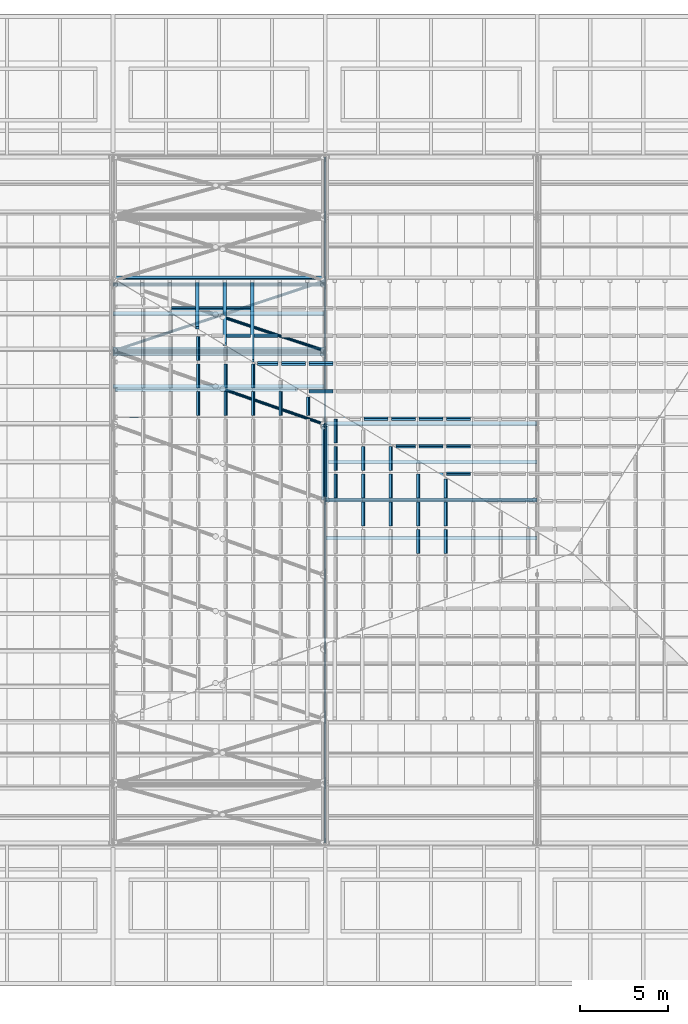
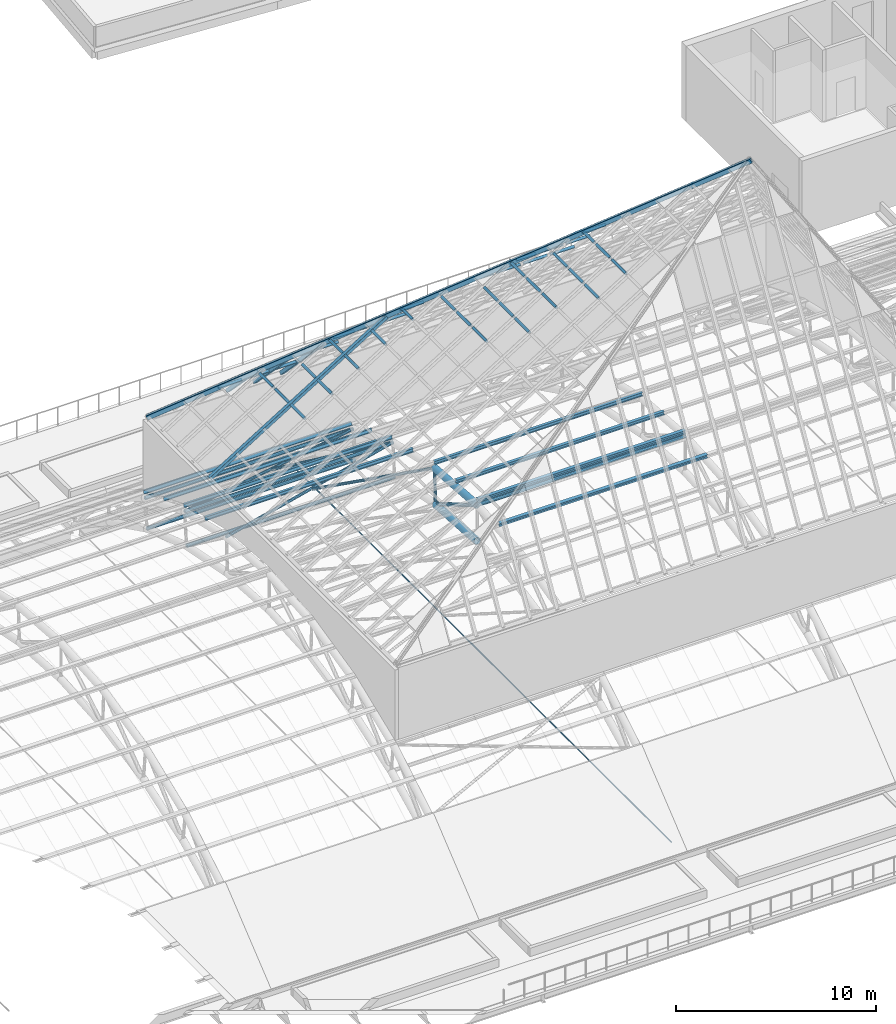
# One storey, part 22 of 110: 68 members.
"""IFC4 building model written with IfcOpenShell, lengths in metres."""

from ifc_helpers import new_model, si_unit, direction, frame, origin, origin_2d, place, context, subcontext, project, spatial, hollow_rectangle, circle, hollow_circle, i_section, extrude, material, material_profile, profile_set, type_object, element, save


model = new_model("IFC4")

# Units and contexts
model_context = context("Model", 3, precision=1e-05, world=origin(), true_north=direction((0.0, 1.0)))
body_context = subcontext(model_context, "Body", "Model", "MODEL_VIEW")
ifc_project = project(units=[si_unit("LENGTHUNIT", "METRE"), si_unit("AREAUNIT", "SQUARE_METRE"), si_unit("VOLUMEUNIT", "CUBIC_METRE"), si_unit("PLANEANGLEUNIT", "RADIAN"), si_unit("MASSUNIT", "GRAM", prefix="KILO")], contexts=[model_context])

# Site, building, storey
site_placement = place(None, origin())
site = spatial("IfcSite", under=ifc_project, at=site_placement, CompositionType="ELEMENT")
building_placement = place(site_placement, origin())
building = spatial("IfcBuilding", under=site, at=building_placement, Name="Windward Yard Aquatics Centre", CompositionType="ELEMENT")
storey_placement = place(building_placement, frame((0.0, 0.0, 22.60009765625)))
storey = spatial("IfcBuildingStorey", under=building, at=storey_placement, Name="L05", CompositionType="ELEMENT", Elevation=22.60009765625)

# Members
ifc_material_1 = material(Name="Steel ASTM A500 Gr C", Category="steel")
ifc_material_profile_1 = material_profile(ifc_material_1, hollow_circle(Radius=0.084228515625, WallThickness=0.010986328125, at=origin_2d()), Name="HSS168.3X11")
ifc_profile_set_1 = profile_set([ifc_material_profile_1], Name="Steel ASTM A500 Gr C")
member_type_1 = type_object("IfcMemberType", Name="H arch post HSS168.3X11", PredefinedType="POST", material=ifc_profile_set_1)
member_1_placement = place(storey_placement, frame((108.0, 65.16064453125, 6.323486328125), z_axis=(0.0, 0.050215263417, 0.998738417865), x_axis=(-1.0, 0.0, 0.0)))
element("IfcMember", 1, at=member_1_placement, inside=storey, type_object=member_type_1, Name="H.AT.5.WP07", PredefinedType="POST", context=body_context, shape_type="SweptSolid", body=[
    extrude(hollow_circle(Radius=0.084228515625, WallThickness=0.010986328125, at=origin_2d()), origin(), (0.0, 0.0, 1.0), 2.14892578125),
])
ifc_material_profile_2 = material_profile(ifc_material_1, hollow_circle(Radius=0.203125, WallThickness=0.015869140625, at=origin_2d()), Name="HSS406.4X15.9")
ifc_profile_set_2 = profile_set([ifc_material_profile_2], Name="Steel ASTM A500 Gr C")
member_type_2 = type_object("IfcMemberType", Name="H arch top chord HSS406.4X15.9", PredefinedType="CHORD", material=ifc_profile_set_2)
member_2_placement = place(storey_placement, frame((108.0, 61.0, 8.796630859375), z_axis=(0.0, 0.997080259355, -0.076360699341), x_axis=(-1.0, 0.0, 0.0)))
element("IfcMember", 2, at=member_2_placement, inside=storey, type_object=member_type_2, Name="H.AT.5.TC06", PredefinedType="CHORD", context=body_context, shape_type="SweptSolid", body=[
    extrude(hollow_circle(Radius=0.203125, WallThickness=0.015869140625, at=origin_2d()), origin(), (0.0, 0.0, 1.0), 4.281005859375),
])
member_3_placement = place(storey_placement, frame((108.0, 61.0, 6.5966796875), z_axis=(0.0, 0.997851241995, -0.065520217098), x_axis=(-1.0, 0.0, 0.0)))
element("IfcMember", 3, at=member_3_placement, inside=storey, type_object=member_type_2, Name="H.AT.5.BC06", PredefinedType="CHORD", context=body_context, shape_type="SweptSolid", body=[
    extrude(hollow_circle(Radius=0.203125, WallThickness=0.015869140625, at=origin_2d()), origin(), (0.0, 0.0, 1.0), 4.169677734375),
])
ifc_material_profile_3 = material_profile(ifc_material_1, hollow_circle(Radius=0.109619140625, WallThickness=0.00830078125, at=origin_2d()), Name="HSS219.1X8.2")
ifc_profile_set_3 = profile_set([ifc_material_profile_3], Name="Steel ASTM A500 Gr C")
member_type_3 = type_object("IfcMemberType", Name="H arch web diagonal HSS219.1X8.2", PredefinedType="BRACE", material=ifc_profile_set_3)
member_4_placement = place(storey_placement, frame((108.0, 61.0, 8.796630859375), z_axis=(0.0, 0.859604150376, -0.51096057055), x_axis=(-1.0, 0.0, 0.0)))
element("IfcMember", 4, at=member_4_placement, inside=storey, type_object=member_type_3, Name="H.AT.5.WD06", PredefinedType="BRACE", context=body_context, shape_type="SweptSolid", body=[
    extrude(hollow_circle(Radius=0.109619140625, WallThickness=0.00830078125, at=origin_2d()), origin(), (0.0, 0.0, 1.0), 4.840087890625),
])
ifc_material_profile_4 = material_profile(ifc_material_1, hollow_rectangle(XDim=0.25390625, YDim=0.25390625, WallThickness=0.015869140625, InnerFilletRadius=0.008056640625, OuterFilletRadius=0.02392578125, at=origin_2d()), Name="HSS254X254X15.9")
ifc_profile_set_4 = profile_set([ifc_material_profile_4], Name="Steel ASTM A500 Gr C")
member_type_4 = type_object("IfcMemberType", Name="H lantern hip HSS254X254X15.9", PredefinedType="BRACE", material=ifc_profile_set_4)
member_5_placement = place(storey_placement, frame((96.14697265625, 73.42529296875, 10.75634765625), z_axis=(0.758251042805, -0.453473949539, 0.468419398802), x_axis=(0.581627532553, 0.795115025599, -0.171760034473)))
element("IfcMember", 5, at=member_5_placement, inside=storey, type_object=member_type_4, Name="H.LN.H.04", PredefinedType="BRACE", context=body_context, shape_type="SweptSolid", body=[
    extrude(hollow_rectangle(XDim=0.25390625, YDim=0.25390625, WallThickness=0.015869140625, InnerFilletRadius=0.008056640625, OuterFilletRadius=0.02392578125, at=origin_2d()), origin(), (0.0, 0.0, 1.0), 34.157470703125),
])
ifc_material_profile_5 = material_profile(ifc_material_1, hollow_rectangle(XDim=0.15234375, YDim=0.15234375, WallThickness=0.009521484375, InnerFilletRadius=0.004638671875, OuterFilletRadius=0.01416015625, at=origin_2d()), Name="HSS152X152X9.5")
ifc_profile_set_5 = profile_set([ifc_material_profile_5], Name="Steel ASTM A500 Gr C")
member_type_5 = type_object("IfcMemberType", Name="H lantern purlin HSS152X152X9.5", PredefinedType="PURLIN", material=ifc_profile_set_5)
member_6_placement = place(storey_placement, frame((99.314697265625, 71.84765625, 12.4287109375), z_axis=(1.0, 0.0, 0.0), x_axis=(0.0, 0.695550485066, -0.718477224917)))
element("IfcMember", 6, at=member_6_placement, inside=storey, type_object=member_type_5, Name="H.LN.U.03.01.02", PredefinedType="PURLIN", context=body_context, shape_type="SweptSolid", body=[
    extrude(hollow_rectangle(XDim=0.15234375, YDim=0.15234375, WallThickness=0.009521484375, InnerFilletRadius=0.004638671875, OuterFilletRadius=0.01416015625, at=origin_2d()), origin(), (0.0, 0.0, 1.0), 1.353271484375),
])
member_7_placement = place(storey_placement, frame((100.87109375, 71.84765625, 12.4287109375), z_axis=(1.0, 0.0, 0.0), x_axis=(0.0, 0.695550485066, -0.718477224917)))
element("IfcMember", 7, at=member_7_placement, inside=storey, type_object=member_type_5, Name="H.LN.U.03.01.03", PredefinedType="PURLIN", context=body_context, shape_type="SweptSolid", body=[
    extrude(hollow_rectangle(XDim=0.15234375, YDim=0.15234375, WallThickness=0.009521484375, InnerFilletRadius=0.004638671875, OuterFilletRadius=0.01416015625, at=origin_2d()), origin(), (0.0, 0.0, 1.0), 1.353515625),
])
for number, where, z_axis, x_axis, name in (
    (8, (102.427734375, 71.84765625, 12.4287109375), (1.0, 0.0, 0.0), (0.0, 0.695550485066, -0.718477224917), "H.LN.U.03.01.04"),
    (9, (102.427734375, 70.28662109375, 14.04150390625), (1.0, 0.0, 0.0), (0.0, 0.695550485066, -0.718477224917), "H.LN.U.03.02.02"),
    (10, (103.984130859375, 70.28662109375, 14.04150390625), (1.0, 0.0, 0.0), (0.0, 0.695550485066, -0.718477224917), "H.LN.U.03.02.03"),
):
    element("IfcMember", number, at=place(storey_placement, frame(where, z_axis=z_axis, x_axis=x_axis)), inside=storey, type_object=member_type_5, Name=name, PredefinedType="PURLIN", context=body_context, shape_type="SweptSolid", body=[
        extrude(hollow_rectangle(XDim=0.15234375, YDim=0.15234375, WallThickness=0.009521484375, InnerFilletRadius=0.004638671875, OuterFilletRadius=0.01416015625, at=origin_2d()), origin(), (0.0, 0.0, 1.0), 1.353271484375),
    ])
member_8_placement = place(storey_placement, frame((104.168212890625, 68.725341796875, 15.654052734375), z_axis=(1.0, 0.0, 0.0), x_axis=(0.0, 0.695550485066, -0.718477224917)))
element("IfcMember", 11, at=member_8_placement, inside=storey, type_object=member_type_5, Name="H.LN.U.03.03.01", PredefinedType="PURLIN", context=body_context, shape_type="SweptSolid", body=[
    extrude(hollow_rectangle(XDim=0.15234375, YDim=0.15234375, WallThickness=0.009521484375, InnerFilletRadius=0.004638671875, OuterFilletRadius=0.01416015625, at=origin_2d()), origin(), (0.0, 0.0, 1.0), 1.169189453125),
])
for number, where, z_axis, x_axis, name in (
    (12, (105.540771484375, 68.725341796875, 15.654052734375), (1.0, 0.0, 0.0), (0.0, 0.695550485066, -0.718477224917), "H.LN.U.03.03.02"),
    (13, (107.097412109375, 68.725341796875, 15.654052734375), (1.0, 0.0, 0.0), (0.0, 0.695550485066, -0.718477224917), "H.LN.U.03.03.03"),
    (14, (107.097412109375, 67.1640625, 17.266845703125), (1.0, 0.0, 0.0), (0.0, 0.695550485066, -0.718477224917), "H.LN.U.03.04.02"),
):
    element("IfcMember", number, at=place(storey_placement, frame(where, z_axis=z_axis, x_axis=x_axis)), inside=storey, type_object=member_type_5, Name=name, PredefinedType="PURLIN", context=body_context, shape_type="SweptSolid", body=[
        extrude(hollow_rectangle(XDim=0.15234375, YDim=0.15234375, WallThickness=0.009521484375, InnerFilletRadius=0.004638671875, OuterFilletRadius=0.01416015625, at=origin_2d()), origin(), (0.0, 0.0, 1.0), 1.353271484375),
    ])
member_9_placement = place(storey_placement, frame((110.210205078125, 65.602783203125, 18.87939453125), z_axis=(1.0, 0.0, 0.0), x_axis=(0.0, 0.695550485066, -0.718477224917)))
element("IfcMember", 15, at=member_9_placement, inside=storey, type_object=member_type_5, Name="H.LN.U.03.05.02", PredefinedType="PURLIN", context=body_context, shape_type="SweptSolid", body=[
    extrude(hollow_rectangle(XDim=0.15234375, YDim=0.15234375, WallThickness=0.009521484375, InnerFilletRadius=0.004638671875, OuterFilletRadius=0.01416015625, at=origin_2d()), origin(), (0.0, 0.0, 1.0), 1.353515625),
])
member_10_placement = place(storey_placement, frame((111.766845703125, 65.602783203125, 18.87939453125), z_axis=(1.0, 0.0, 0.0), x_axis=(0.0, 0.695550485066, -0.718477224917)))
element("IfcMember", 16, at=member_10_placement, inside=storey, type_object=member_type_5, Name="H.LN.U.03.05.03", PredefinedType="PURLIN", context=body_context, shape_type="SweptSolid", body=[
    extrude(hollow_rectangle(XDim=0.15234375, YDim=0.15234375, WallThickness=0.009521484375, InnerFilletRadius=0.004638671875, OuterFilletRadius=0.01416015625, at=origin_2d()), origin(), (0.0, 0.0, 1.0), 1.353271484375),
])
member_11_placement = place(storey_placement, frame((113.3232421875, 65.602783203125, 18.87939453125), z_axis=(1.0, 0.0, 0.0), x_axis=(0.0, 0.695550485066, -0.718477224917)))
element("IfcMember", 17, at=member_11_placement, inside=storey, type_object=member_type_5, Name="H.LN.U.03.05.04", PredefinedType="PURLIN", context=body_context, shape_type="SweptSolid", body=[
    extrude(hollow_rectangle(XDim=0.15234375, YDim=0.15234375, WallThickness=0.009521484375, InnerFilletRadius=0.004638671875, OuterFilletRadius=0.01416015625, at=origin_2d()), origin(), (0.0, 0.0, 1.0), 1.353515625),
])
member_12_placement = place(storey_placement, frame((114.8798828125, 65.602783203125, 18.87939453125), z_axis=(1.0, 0.0, 0.0), x_axis=(0.0, 0.695550485066, -0.718477224917)))
element("IfcMember", 18, at=member_12_placement, inside=storey, type_object=member_type_5, Name="H.LN.U.03.05.05", PredefinedType="PURLIN", context=body_context, shape_type="SweptSolid", body=[
    extrude(hollow_rectangle(XDim=0.15234375, YDim=0.15234375, WallThickness=0.009521484375, InnerFilletRadius=0.004638671875, OuterFilletRadius=0.01416015625, at=origin_2d()), origin(), (0.0, 0.0, 1.0), 1.353271484375),
])
member_13_placement = place(storey_placement, frame((111.999755859375, 64.041748046875, 20.491943359375), z_axis=(1.0, 0.0, 0.0), x_axis=(0.0, 0.695550485066, -0.718477224917)))
element("IfcMember", 19, at=member_13_placement, inside=storey, type_object=member_type_5, Name="H.LN.U.03.06.01", PredefinedType="PURLIN", context=body_context, shape_type="SweptSolid", body=[
    extrude(hollow_rectangle(XDim=0.15234375, YDim=0.15234375, WallThickness=0.009521484375, InnerFilletRadius=0.004638671875, OuterFilletRadius=0.01416015625, at=origin_2d()), origin(), (0.0, 0.0, 1.0), 1.120361328125),
])
member_14_placement = place(storey_placement, frame((113.3232421875, 64.041748046875, 20.491943359375), z_axis=(1.0, 0.0, 0.0), x_axis=(0.0, 0.695550485066, -0.718477224917)))
element("IfcMember", 20, at=member_14_placement, inside=storey, type_object=member_type_5, Name="H.LN.U.03.06.02", PredefinedType="PURLIN", context=body_context, shape_type="SweptSolid", body=[
    extrude(hollow_rectangle(XDim=0.15234375, YDim=0.15234375, WallThickness=0.009521484375, InnerFilletRadius=0.004638671875, OuterFilletRadius=0.01416015625, at=origin_2d()), origin(), (0.0, 0.0, 1.0), 1.353515625),
])
for number, where, z_axis, x_axis, name in (
    (21, (114.8798828125, 64.041748046875, 20.491943359375), (1.0, 0.0, 0.0), (0.0, 0.695550485066, -0.718477224917), "H.LN.U.03.06.03"),
    (22, (114.8798828125, 62.480712890625, 22.104736328125), (1.0, 0.0, 0.0), (0.0, 0.695550485066, -0.718477224917), "H.LN.U.03.07.02"),
):
    element("IfcMember", number, at=place(storey_placement, frame(where, z_axis=z_axis, x_axis=x_axis)), inside=storey, type_object=member_type_5, Name=name, PredefinedType="PURLIN", context=body_context, shape_type="SweptSolid", body=[
        extrude(hollow_rectangle(XDim=0.15234375, YDim=0.15234375, WallThickness=0.009521484375, InnerFilletRadius=0.004638671875, OuterFilletRadius=0.01416015625, at=origin_2d()), origin(), (0.0, 0.0, 1.0), 1.353271484375),
    ])
member_15_placement = place(storey_placement, frame((100.82861328125, 65.78515625, 13.68359375), z_axis=(0.0, 1.0, 0.0), x_axis=(-0.850755160219, 0.0, -0.525562229771)))
element("IfcMember", 23, at=member_15_placement, inside=storey, type_object=member_type_5, Name="H.LN.U.04.03.11", PredefinedType="PURLIN", context=body_context, shape_type="SweptSolid", body=[
    extrude(hollow_rectangle(XDim=0.15234375, YDim=0.15234375, WallThickness=0.009521484375, InnerFilletRadius=0.004638671875, OuterFilletRadius=0.01416015625, at=origin_2d()), origin(), (0.0, 0.0, 1.0), 1.35791015625),
])
member_16_placement = place(storey_placement, frame((100.82861328125, 67.34619140625, 13.68359375), z_axis=(0.0, 1.0, 0.0), x_axis=(-0.850755160219, 0.0, -0.525562229771)))
element("IfcMember", 24, at=member_16_placement, inside=storey, type_object=member_type_5, Name="H.LN.U.04.03.12", PredefinedType="PURLIN", context=body_context, shape_type="SweptSolid", body=[
    extrude(hollow_rectangle(XDim=0.15234375, YDim=0.15234375, WallThickness=0.009521484375, InnerFilletRadius=0.004638671875, OuterFilletRadius=0.01416015625, at=origin_2d()), origin(), (0.0, 0.0, 1.0), 1.358154296875),
])
for number, where, z_axis, x_axis, name in (
    (25, (100.82861328125, 68.907470703125, 13.68359375), (0.0, 1.0, 0.0), (-0.850755160219, 0.0, -0.525562229771), "H.LN.U.04.03.13"),
    (26, (102.385009765625, 65.78515625, 14.64501953125), (0.0, 1.0, 0.0), (-0.850755160219, 0.0, -0.525562229771), "H.LN.U.04.04.11"),
):
    element("IfcMember", number, at=place(storey_placement, frame(where, z_axis=z_axis, x_axis=x_axis)), inside=storey, type_object=member_type_5, Name=name, PredefinedType="PURLIN", context=body_context, shape_type="SweptSolid", body=[
        extrude(hollow_rectangle(XDim=0.15234375, YDim=0.15234375, WallThickness=0.009521484375, InnerFilletRadius=0.004638671875, OuterFilletRadius=0.01416015625, at=origin_2d()), origin(), (0.0, 0.0, 1.0), 1.35791015625),
    ])
member_17_placement = place(storey_placement, frame((102.385009765625, 67.34619140625, 14.64501953125), z_axis=(0.0, 1.0, 0.0), x_axis=(-0.850755160219, 0.0, -0.525562229771)))
element("IfcMember", 27, at=member_17_placement, inside=storey, type_object=member_type_5, Name="H.LN.U.04.04.12", PredefinedType="PURLIN", context=body_context, shape_type="SweptSolid", body=[
    extrude(hollow_rectangle(XDim=0.15234375, YDim=0.15234375, WallThickness=0.009521484375, InnerFilletRadius=0.004638671875, OuterFilletRadius=0.01416015625, at=origin_2d()), origin(), (0.0, 0.0, 1.0), 1.358154296875),
])
member_18_placement = place(storey_placement, frame((103.941650390625, 65.78515625, 15.606689453125), z_axis=(0.0, 1.0, 0.0), x_axis=(-0.850755160219, 0.0, -0.525562229771)))
element("IfcMember", 28, at=member_18_placement, inside=storey, type_object=member_type_5, Name="H.LN.U.04.05.11", PredefinedType="PURLIN", context=body_context, shape_type="SweptSolid", body=[
    extrude(hollow_rectangle(XDim=0.15234375, YDim=0.15234375, WallThickness=0.009521484375, InnerFilletRadius=0.004638671875, OuterFilletRadius=0.01416015625, at=origin_2d()), origin(), (0.0, 0.0, 1.0), 1.35791015625),
])
member_19_placement = place(storey_placement, frame((103.941650390625, 67.34619140625, 15.606689453125), z_axis=(0.0, 1.0, 0.0), x_axis=(-0.850755160219, 0.0, -0.525562229771)))
element("IfcMember", 29, at=member_19_placement, inside=storey, type_object=member_type_5, Name="H.LN.U.04.05.12", PredefinedType="PURLIN", context=body_context, shape_type="SweptSolid", body=[
    extrude(hollow_rectangle(XDim=0.15234375, YDim=0.15234375, WallThickness=0.009521484375, InnerFilletRadius=0.004638671875, OuterFilletRadius=0.01416015625, at=origin_2d()), origin(), (0.0, 0.0, 1.0), 1.34716796875),
])
member_20_placement = place(storey_placement, frame((105.498046875, 65.78515625, 16.568115234375), z_axis=(0.0, 1.0, 0.0), x_axis=(-0.850755160219, 0.0, -0.525562229771)))
element("IfcMember", 30, at=member_20_placement, inside=storey, type_object=member_type_5, Name="H.LN.U.04.06.10", PredefinedType="PURLIN", context=body_context, shape_type="SweptSolid", body=[
    extrude(hollow_rectangle(XDim=0.15234375, YDim=0.15234375, WallThickness=0.009521484375, InnerFilletRadius=0.004638671875, OuterFilletRadius=0.01416015625, at=origin_2d()), origin(), (0.0, 0.0, 1.0), 1.35791015625),
])
member_21_placement = place(storey_placement, frame((107.0546875, 65.78515625, 17.52978515625), z_axis=(0.0, 1.0, 0.0), x_axis=(-0.850755160219, 0.0, -0.525562229771)))
element("IfcMember", 31, at=member_21_placement, inside=storey, type_object=member_type_5, Name="H.LN.U.04.07.10", PredefinedType="PURLIN", context=body_context, shape_type="SweptSolid", body=[
    extrude(hollow_rectangle(XDim=0.15234375, YDim=0.15234375, WallThickness=0.009521484375, InnerFilletRadius=0.004638671875, OuterFilletRadius=0.01416015625, at=origin_2d()), origin(), (0.0, 0.0, 1.0), 1.04638671875),
])
member_22_placement = place(storey_placement, frame((108.611083984375, 61.1015625, 18.4912109375), z_axis=(0.0, 1.0, 0.0), x_axis=(-0.850755160219, 0.0, -0.525562229771)))
element("IfcMember", 32, at=member_22_placement, inside=storey, type_object=member_type_5, Name="H.LN.U.04.08.06", PredefinedType="PURLIN", context=body_context, shape_type="SweptSolid", body=[
    extrude(hollow_rectangle(XDim=0.15234375, YDim=0.15234375, WallThickness=0.009521484375, InnerFilletRadius=0.004638671875, OuterFilletRadius=0.01416015625, at=origin_2d()), origin(), (0.0, 0.0, 1.0), 1.358154296875),
])
member_23_placement = place(storey_placement, frame((108.611083984375, 62.662841796875, 18.4912109375), z_axis=(0.0, 1.0, 0.0), x_axis=(-0.850755160219, 0.0, -0.525562229771)))
element("IfcMember", 33, at=member_23_placement, inside=storey, type_object=member_type_5, Name="H.LN.U.04.08.07", PredefinedType="PURLIN", context=body_context, shape_type="SweptSolid", body=[
    extrude(hollow_rectangle(XDim=0.15234375, YDim=0.15234375, WallThickness=0.009521484375, InnerFilletRadius=0.004638671875, OuterFilletRadius=0.01416015625, at=origin_2d()), origin(), (0.0, 0.0, 1.0), 1.35791015625),
])
member_24_placement = place(storey_placement, frame((108.611083984375, 64.22412109375, 18.4912109375), z_axis=(0.0, 1.0, 0.0), x_axis=(-0.850755160219, 0.0, -0.525562229771)))
element("IfcMember", 34, at=member_24_placement, inside=storey, type_object=member_type_5, Name="H.LN.U.04.08.08", PredefinedType="PURLIN", context=body_context, shape_type="SweptSolid", body=[
    extrude(hollow_rectangle(XDim=0.15234375, YDim=0.15234375, WallThickness=0.009521484375, InnerFilletRadius=0.004638671875, OuterFilletRadius=0.01416015625, at=origin_2d()), origin(), (0.0, 0.0, 1.0), 1.357666015625),
])
for number, where, z_axis, x_axis, name in (
    (35, (110.167724609375, 59.540283203125, 19.452880859375), (0.0, 1.0, 0.0), (-0.850755160219, 0.0, -0.525562229771), "H.LN.U.04.09.05"),
    (36, (110.167724609375, 61.1015625, 19.452880859375), (0.0, 1.0, 0.0), (-0.850755160219, 0.0, -0.525562229771), "H.LN.U.04.09.06"),
):
    element("IfcMember", number, at=place(storey_placement, frame(where, z_axis=z_axis, x_axis=x_axis)), inside=storey, type_object=member_type_5, Name=name, PredefinedType="PURLIN", context=body_context, shape_type="SweptSolid", body=[
        extrude(hollow_rectangle(XDim=0.15234375, YDim=0.15234375, WallThickness=0.009521484375, InnerFilletRadius=0.004638671875, OuterFilletRadius=0.01416015625, at=origin_2d()), origin(), (0.0, 0.0, 1.0), 1.358154296875),
    ])
member_25_placement = place(storey_placement, frame((110.167724609375, 62.662841796875, 19.452880859375), z_axis=(0.0, 1.0, 0.0), x_axis=(-0.850755160219, 0.0, -0.525562229771)))
element("IfcMember", 37, at=member_25_placement, inside=storey, type_object=member_type_5, Name="H.LN.U.04.09.07", PredefinedType="PURLIN", context=body_context, shape_type="SweptSolid", body=[
    extrude(hollow_rectangle(XDim=0.15234375, YDim=0.15234375, WallThickness=0.009521484375, InnerFilletRadius=0.004638671875, OuterFilletRadius=0.01416015625, at=origin_2d()), origin(), (0.0, 0.0, 1.0), 1.35791015625),
])
for number, where, z_axis, x_axis, name in (
    (38, (111.72412109375, 59.540283203125, 20.414306640625), (0.0, 1.0, 0.0), (-0.850755160219, 0.0, -0.525562229771), "H.LN.U.04.10.05"),
    (39, (111.72412109375, 61.1015625, 20.414306640625), (0.0, 1.0, 0.0), (-0.850755160219, 0.0, -0.525562229771), "H.LN.U.04.10.06"),
):
    element("IfcMember", number, at=place(storey_placement, frame(where, z_axis=z_axis, x_axis=x_axis)), inside=storey, type_object=member_type_5, Name=name, PredefinedType="PURLIN", context=body_context, shape_type="SweptSolid", body=[
        extrude(hollow_rectangle(XDim=0.15234375, YDim=0.15234375, WallThickness=0.009521484375, InnerFilletRadius=0.004638671875, OuterFilletRadius=0.01416015625, at=origin_2d()), origin(), (0.0, 0.0, 1.0), 1.358154296875),
    ])
member_26_placement = place(storey_placement, frame((111.72412109375, 62.662841796875, 20.414306640625), z_axis=(0.0, 1.0, 0.0), x_axis=(-0.850755160219, 0.0, -0.525562229771)))
element("IfcMember", 40, at=member_26_placement, inside=storey, type_object=member_type_5, Name="H.LN.U.04.10.07", PredefinedType="PURLIN", context=body_context, shape_type="SweptSolid", body=[
    extrude(hollow_rectangle(XDim=0.15234375, YDim=0.15234375, WallThickness=0.009521484375, InnerFilletRadius=0.004638671875, OuterFilletRadius=0.01416015625, at=origin_2d()), origin(), (0.0, 0.0, 1.0), 1.376220703125),
])
member_27_placement = place(storey_placement, frame((113.28076171875, 57.979248046875, 21.3759765625), z_axis=(0.0, 1.0, 0.0), x_axis=(-0.850755160219, 0.0, -0.525562229771)))
element("IfcMember", 41, at=member_27_placement, inside=storey, type_object=member_type_5, Name="H.LN.U.04.11.03", PredefinedType="PURLIN", context=body_context, shape_type="SweptSolid", body=[
    extrude(hollow_rectangle(XDim=0.15234375, YDim=0.15234375, WallThickness=0.009521484375, InnerFilletRadius=0.004638671875, OuterFilletRadius=0.01416015625, at=origin_2d()), origin(), (0.0, 0.0, 1.0), 1.35791015625),
])
for number, where, z_axis, x_axis, name in (
    (42, (113.28076171875, 59.540283203125, 21.3759765625), (0.0, 1.0, 0.0), (-0.850755160219, 0.0, -0.525562229771), "H.LN.U.04.11.04"),
    (43, (113.28076171875, 61.1015625, 21.3759765625), (0.0, 1.0, 0.0), (-0.850755160219, 0.0, -0.525562229771), "H.LN.U.04.11.05"),
):
    element("IfcMember", number, at=place(storey_placement, frame(where, z_axis=z_axis, x_axis=x_axis)), inside=storey, type_object=member_type_5, Name=name, PredefinedType="PURLIN", context=body_context, shape_type="SweptSolid", body=[
        extrude(hollow_rectangle(XDim=0.15234375, YDim=0.15234375, WallThickness=0.009521484375, InnerFilletRadius=0.004638671875, OuterFilletRadius=0.01416015625, at=origin_2d()), origin(), (0.0, 0.0, 1.0), 1.358154296875),
    ])
member_28_placement = place(storey_placement, frame((114.837158203125, 57.979248046875, 22.33740234375), z_axis=(0.0, 1.0, 0.0), x_axis=(-0.850755160219, 0.0, -0.525562229771)))
element("IfcMember", 44, at=member_28_placement, inside=storey, type_object=member_type_5, Name="H.LN.U.04.12.03", PredefinedType="PURLIN", context=body_context, shape_type="SweptSolid", body=[
    extrude(hollow_rectangle(XDim=0.15234375, YDim=0.15234375, WallThickness=0.009521484375, InnerFilletRadius=0.004638671875, OuterFilletRadius=0.01416015625, at=origin_2d()), origin(), (0.0, 0.0, 1.0), 1.35791015625),
])
member_29_placement = place(storey_placement, frame((114.837158203125, 59.540283203125, 22.33740234375), z_axis=(0.0, 1.0, 0.0), x_axis=(-0.850755160219, 0.0, -0.525562229771)))
element("IfcMember", 45, at=member_29_placement, inside=storey, type_object=member_type_5, Name="H.LN.U.04.12.04", PredefinedType="PURLIN", context=body_context, shape_type="SweptSolid", body=[
    extrude(hollow_rectangle(XDim=0.15234375, YDim=0.15234375, WallThickness=0.009521484375, InnerFilletRadius=0.004638671875, OuterFilletRadius=0.01416015625, at=origin_2d()), origin(), (0.0, 0.0, 1.0), 1.358154296875),
])
member_30_placement = place(storey_placement, frame((114.837158203125, 61.1015625, 22.33740234375), z_axis=(0.0, 1.0, 0.0), x_axis=(-0.850755160219, 0.0, -0.525562229771)))
element("IfcMember", 46, at=member_30_placement, inside=storey, type_object=member_type_5, Name="H.LN.U.04.12.05", PredefinedType="PURLIN", context=body_context, shape_type="SweptSolid", body=[
    extrude(hollow_rectangle(XDim=0.15234375, YDim=0.15234375, WallThickness=0.009521484375, InnerFilletRadius=0.004638671875, OuterFilletRadius=0.01416015625, at=origin_2d()), origin(), (0.0, 0.0, 1.0), 1.07568359375),
])
ifc_material_profile_6 = material_profile(ifc_material_1, hollow_rectangle(XDim=0.203125, YDim=0.203125, WallThickness=0.009521484375, InnerFilletRadius=0.004638671875, OuterFilletRadius=0.01416015625, at=origin_2d()), Name="HSS203X203X9.5")
ifc_profile_set_6 = profile_set([ifc_material_profile_6], Name="Steel ASTM A500 Gr C")
member_type_6 = type_object("IfcMemberType", Name="H lantern rafter HSS203X203X9.5", PredefinedType="RAFTER", material=ifc_profile_set_6)
member_31_placement = place(storey_placement, frame((100.76953125, 73.390625, 10.798583984375), z_axis=(0.0, -0.695547330886, 0.718480278433), x_axis=(1.0, 0.0, 0.0)))
element("IfcMember", 47, at=member_31_placement, inside=storey, type_object=member_type_6, Name="H.LN.R.03.03", PredefinedType="RAFTER", context=body_context, shape_type="SweptSolid", body=[
    extrude(hollow_rectangle(XDim=0.203125, YDim=0.203125, WallThickness=0.009521484375, InnerFilletRadius=0.004638671875, OuterFilletRadius=0.01416015625, at=origin_2d()), origin(), (0.0, 0.0, 1.0), 3.811279296875),
])
member_32_placement = place(storey_placement, frame((102.326171875, 73.390625, 10.798583984375), z_axis=(0.0, -0.69556435959, 0.718463792872), x_axis=(1.0, 0.0, 0.0)))
element("IfcMember", 48, at=member_32_placement, inside=storey, type_object=member_type_6, Name="H.LN.R.03.04", PredefinedType="RAFTER", context=body_context, shape_type="SweptSolid", body=[
    extrude(hollow_rectangle(XDim=0.203125, YDim=0.203125, WallThickness=0.009521484375, InnerFilletRadius=0.004638671875, OuterFilletRadius=0.01416015625, at=origin_2d()), origin(), (0.0, 0.0, 1.0), 5.1494140625),
])
member_33_placement = place(storey_placement, frame((103.882568359375, 73.390625, 10.798583984375), z_axis=(0.0, -0.695555557456, 0.718472314353), x_axis=(1.0, 0.0, 0.0)))
element("IfcMember", 49, at=member_33_placement, inside=storey, type_object=member_type_6, Name="H.LN.R.03.05", PredefinedType="RAFTER", context=body_context, shape_type="SweptSolid", body=[
    extrude(hollow_rectangle(XDim=0.203125, YDim=0.203125, WallThickness=0.009521484375, InnerFilletRadius=0.004638671875, OuterFilletRadius=0.01416015625, at=origin_2d()), origin(), (0.0, 0.0, 1.0), 6.48779296875),
])
member_34_placement = place(storey_placement, frame((96.17236328125, 67.24462890625, 10.777099609375), z_axis=(0.850752762961, 0.0, 0.525566110318), x_axis=(0.0, 1.0, 0.0)))
element("IfcMember", 50, at=member_34_placement, inside=storey, type_object=member_type_6, Name="H.LN.R.04.12", PredefinedType="RAFTER", context=body_context, shape_type="SweptSolid", body=[
    extrude(hollow_rectangle(XDim=0.203125, YDim=0.203125, WallThickness=0.009521484375, InnerFilletRadius=0.004638671875, OuterFilletRadius=0.01416015625, at=origin_2d()), origin(), (0.0, 0.0, 1.0), 11.9951171875),
])
ifc_material_profile_7 = material_profile(ifc_material_1, hollow_circle(Radius=0.084228515625, WallThickness=0.007080078125, at=origin_2d()), Name="HSS168.3X7.1")
ifc_profile_set_7 = profile_set([ifc_material_profile_7], Name="Steel ASTM A500 Gr C")
member_type_7 = type_object("IfcMemberType", Name="H roof brace HSS168.3X7.1", PredefinedType="BRACE", material=ifc_profile_set_7)
member_35_placement = place(storey_placement, frame((96.0, 65.2685546875, 8.4697265625), z_axis=(0.941859984788, 0.327213564051, -0.076361328926), x_axis=(-0.32817175629, 0.944618070108, 0.0)))
element("IfcMember", 51, at=member_35_placement, inside=storey, type_object=member_type_7, Name="H.RB.4.T07A", PredefinedType="BRACE", context=body_context, shape_type="SweptSolid", body=[
    extrude(hollow_circle(Radius=0.084228515625, WallThickness=0.007080078125, at=origin_2d()), origin(), (0.0, 0.0, 1.0), 12.74072265625),
])
member_36_placement = place(storey_placement, frame((102.1064453125, 67.31591796875, 7.991943359375), z_axis=(0.941866761957, -0.327195305127, 0.07635597569), x_axis=(0.328153308973, 0.944624478727, 0.0)))
element("IfcMember", 52, at=member_36_placement, inside=storey, type_object=member_type_7, Name="H.RB.4.T07B2", PredefinedType="BRACE", context=body_context, shape_type="SweptSolid", body=[
    extrude(hollow_circle(Radius=0.084228515625, WallThickness=0.007080078125, at=origin_2d()), origin(), (0.0, 0.0, 1.0), 6.25732421875),
])
member_37_placement = place(storey_placement, frame((96.0, 69.4375, 7.496826171875), z_axis=(0.941859739241, 0.311768757272, -0.125301530658), x_axis=(-0.314245417859, 0.949341781107, 0.0)))
element("IfcMember", 53, at=member_37_placement, inside=storey, type_object=member_type_7, Name="H.RB.4.T08A", PredefinedType="BRACE", context=body_context, shape_type="SweptSolid", body=[
    extrude(hollow_circle(Radius=0.084228515625, WallThickness=0.007080078125, at=origin_2d()), origin(), (0.0, 0.0, 1.0), 12.74072265625),
])
member_38_placement = place(storey_placement, frame((102.1064453125, 71.388427734375, 6.712890625), z_axis=(0.941858333374, -0.311780859237, 0.125281984609), x_axis=(0.314256834084, 0.9493380021, 0.0)))
element("IfcMember", 54, at=member_38_placement, inside=storey, type_object=member_type_7, Name="H.RB.4.T08B2", PredefinedType="BRACE", context=body_context, shape_type="SweptSolid", body=[
    extrude(hollow_circle(Radius=0.084228515625, WallThickness=0.007080078125, at=origin_2d()), origin(), (0.0, 0.0, 1.0), 6.25732421875),
])
ifc_material_2 = material(Name="Steel ASTM A992 Gr 50", Category="steel")
ifc_material_profile_8 = material_profile(ifc_material_2, i_section(OverallWidth=0.202880859375, OverallDepth=0.202880859375, WebThickness=0.00732421875, FlangeThickness=0.010986328125, at=origin_2d()), Name="W200X46.1")
ifc_profile_set_8 = profile_set([ifc_material_profile_8], Name="Steel ASTM A992 Gr 50")
member_type_8 = type_object("IfcMemberType", Name="H roof purlin W200X46.1", PredefinedType="PURLIN", material=ifc_profile_set_8)
for number, where, z_axis, x_axis, name in (
    (55, (96.0, 67.422119140625, 8.280029296875), (1.0, 0.0, 0.0), (0.0, 0.973829299376, -0.227280653986), "H.PU.4.14"),
    (56, (96.0, 69.529052734375, 7.787353515625), (1.0, 0.0, 0.0), (0.0, 0.953632764452, -0.300972674115), "H.PU.4.15"),
    (57, (96.0, 71.537109375, 6.9814453125), (1.0, 0.0, 0.0), (0.0, 0.927868526784, -0.372907491214), "H.PU.4.16"),
    (58, (96.0, 73.54443359375, 6.173583984375), (1.0, 0.0, 0.0), (0.0, 0.896687008655, -0.44266512005), "H.PU.4.17"),
    (59, (108.0, 58.842529296875, 8.93701171875), (1.0, 0.0, 0.0), (0.0, 0.997080793073, 0.076353729998), "H.PU.5.10"),
    (60, (108.0, 61.0, 9.101318359375), (1.0, 0.0, 0.0), (0.0, 1.0, 0.0), "H.PU.5.11"),
    (61, (108.0, 63.157470703125, 8.93701171875), (1.0, 0.0, 0.0), (0.0, 0.997080793073, -0.076353729998), "H.PU.5.12"),
    (62, (108.0, 65.31494140625, 8.77099609375), (1.0, 0.0, 0.0), (0.0, 0.988340215831, -0.152261675321), "H.PU.5.13"),
):
    element("IfcMember", number, at=place(storey_placement, frame(where, z_axis=z_axis, x_axis=x_axis)), inside=storey, type_object=member_type_8, Name=name, PredefinedType="PURLIN", context=body_context, shape_type="SweptSolid", body=[
        extrude(i_section(OverallWidth=0.202880859375, OverallDepth=0.202880859375, WebThickness=0.00732421875, FlangeThickness=0.010986328125, at=origin_2d()), origin(), (0.0, 0.0, 1.0), 12.0),
    ])
ifc_material_profile_9 = material_profile(ifc_material_1, hollow_circle(Radius=0.109619140625, WallThickness=0.00830078125, at=origin_2d()), Name="HSS219.1X8.2")
ifc_profile_set_9 = profile_set([ifc_material_profile_9], Name="Steel ASTM A500 Gr C")
member_type_9 = type_object("IfcMemberType", Name="H roof strut HSS219.1X8.2", PredefinedType="STRUT", material=ifc_profile_set_9)
for number, where, z_axis, x_axis, name in (
    (63, (96.0, 69.4375, 7.496826171875), (1.0, 0.0, 0.0), (0.0, 1.0, 0.0), "H.RS.4.T08"),
    (64, (96.0, 73.40966796875, 5.900390625), (1.0, 0.0, 0.0), (0.0, 1.0, 0.0), "H.RS.4.T09"),
    (65, (96.0, 69.249755859375, 5.5087890625), (1.0, 0.0, 0.0), (0.0, 1.0, 0.0), "H.RS.4.B08"),
    (66, (96.0, 73.197265625, 4.16650390625), (1.0, 0.0, 0.0), (0.0, 1.0, 0.0), "H.RS.4.B09"),
    (67, (108.0, 61.0, 8.796630859375), (1.0, 0.0, 0.0), (0.0, 1.0, 0.0), "H.RS.5.T06"),
):
    element("IfcMember", number, at=place(storey_placement, frame(where, z_axis=z_axis, x_axis=x_axis)), inside=storey, type_object=member_type_9, Name=name, PredefinedType="STRUT", context=body_context, shape_type="SweptSolid", body=[
        extrude(hollow_circle(Radius=0.109619140625, WallThickness=0.00830078125, at=origin_2d()), origin(), (0.0, 0.0, 1.0), 12.0),
    ])
ifc_material_3 = material(Name="Steel ASTM A36", Category="steel")
ifc_material_profile_10 = material_profile(ifc_material_3, circle(Radius=0.0380859375, at=origin_2d()), Name="ROD76")
ifc_profile_set_10 = profile_set([ifc_material_profile_10], Name="Steel ASTM A36")
member_type_10 = type_object("IfcMemberType", Name="H tie rod ROD76", PredefinedType="STRUT", material=ifc_profile_set_10)
member_39_placement = place(storey_placement, frame((108.0, 41.60009765625, 0.0), z_axis=(0.0, 1.0, 0.0), x_axis=(-1.0, 0.0, 0.0)))
element("IfcMember", 68, at=member_39_placement, inside=storey, type_object=member_type_10, Name="H.AT.5.TR", PredefinedType="STRUT", context=body_context, shape_type="SweptSolid", body=[
    extrude(circle(Radius=0.0380859375, at=origin_2d()), origin(), (0.0, 0.0, 1.0), 38.7998046875),
])

save(model, "model.ifc")
